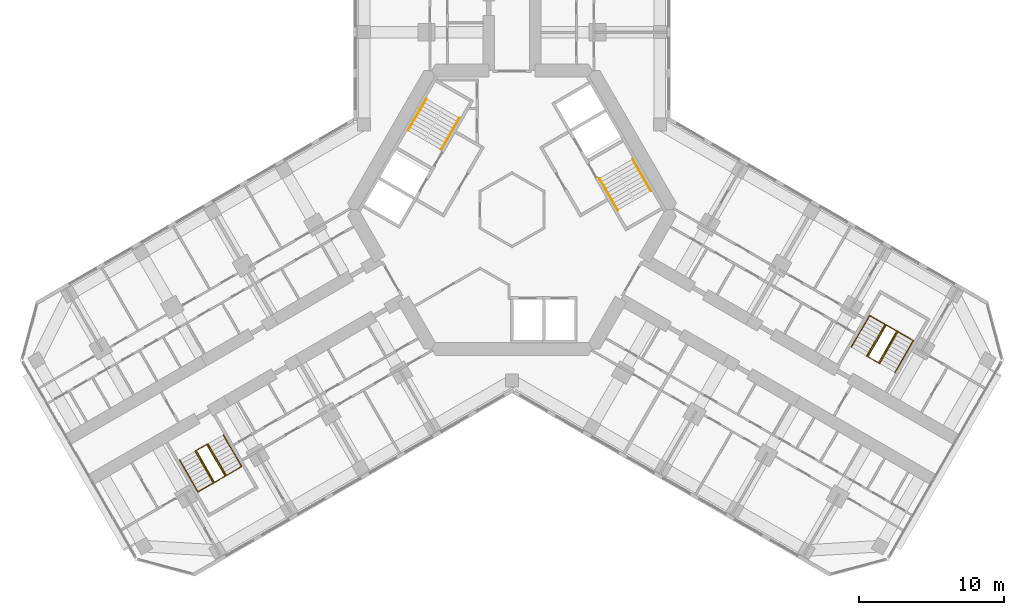
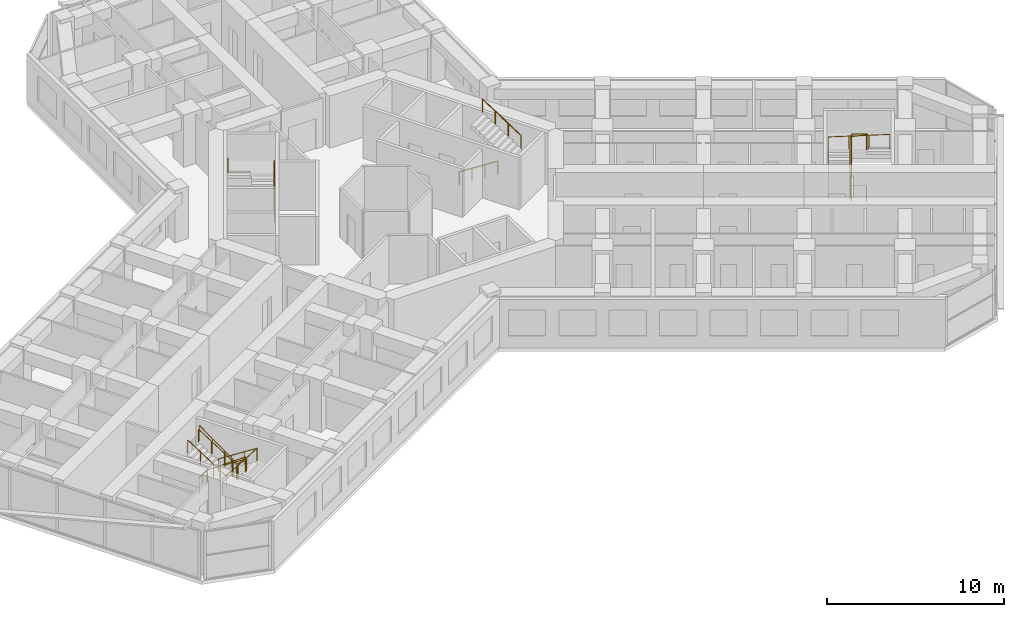
# One storey, part 19 of 19: 10 railings.
"""IFC4 building model written with IfcOpenShell, lengths in metres."""

import ifcopenshell
import ifcopenshell.guid

model = None  # the IFC model being written
_history = None  # IfcOwnerHistory: only IFC2X3 demands one
_inside = {}  # id of a spatial element -> (the spatial element, [elements in it])
_under = {}  # id of a project, library or spatial element -> (it, [spatial elements below it])
_declared = {}  # id of a project -> (the project, [libraries it declares])
_typed = {}  # id of a type object -> (the type object, [elements of that type])
_made_of = {}  # id of a material, layer set ... -> (it, [elements and type objects made of it])


def new_model(schema):
    """Start an empty IFC model of exactly this schema.

    Asked for "IFC4X3", IfcOpenShell would pick the latest addendum, in which some entities
    have other attributes; the version numbers below select the first issue.
    IFC2X3 requires an IfcOwnerHistory on every rooted entity: one is made here for all.
    """
    global model, _history
    if schema == "IFC4X3":
        model = ifcopenshell.file(schema_version=(4, 3, 0, 0))
    else:
        model = ifcopenshell.file(schema=schema)
    _inside.clear()
    _under.clear()
    _declared.clear()
    _typed.clear()
    _made_of.clear()
    _history = None
    if model.schema == "IFC2X3":
        org = make("IfcOrganization", Name="unknown")
        user = make(
            "IfcPersonAndOrganization",
            ThePerson=make("IfcPerson", FamilyName="unknown"),
            TheOrganization=org,
        )
        app = make(
            "IfcApplication",
            ApplicationDeveloper=org,
            Version="unknown",
            ApplicationFullName="unknown",
            ApplicationIdentifier="unknown",
        )
        _history = make(
            "IfcOwnerHistory",
            OwningUser=user,
            OwningApplication=app,
            ChangeAction="ADDED",
            CreationDate=0,
        )
    return model


def make(cls, **values):
    """One entity of the class cls with the attributes given. An attribute that is None is left unset."""
    return model.create_entity(
        cls, **{name: value for name, value in values.items() if value is not None}
    )


def rooted(cls, **values):
    """An entity with a GlobalId (a new one), such as an element, a storey or a relation."""
    return make(cls, GlobalId=ifcopenshell.guid.new(), OwnerHistory=_history, **values)


def si_unit(unit_type, name, prefix=None):
    """IfcSIUnit, for example si_unit("LENGTHUNIT", "METRE", prefix="MILLI")."""
    return make("IfcSIUnit", UnitType=unit_type, Prefix=prefix, Name=name)


def assignment(units):
    """IfcUnitAssignment: the units of a project."""
    return None if units is None else make("IfcUnitAssignment", Units=units)


def point(xyz):
    """IfcCartesianPoint."""
    return None if xyz is None else make("IfcCartesianPoint", Coordinates=xyz)


def direction(xyz):
    """IfcDirection."""
    return None if xyz is None else make("IfcDirection", DirectionRatios=xyz)


def frame(location, z_axis=None, x_axis=None):
    """IfcAxis2Placement3D, a coordinate frame: its origin and axes. An axis left out is left unset."""
    return make(
        "IfcAxis2Placement3D",
        Location=point(location),
        Axis=direction(z_axis),
        RefDirection=direction(x_axis),
    )


def frame_2d(location, x_axis=None):
    """IfcAxis2Placement2D, a coordinate frame in the plane: its origin and x axis."""
    return make(
        "IfcAxis2Placement2D", Location=point(location), RefDirection=direction(x_axis)
    )


def origin():
    """The frame at (0, 0, 0) with its axes left unset."""
    return frame((0.0, 0.0, 0.0))


def origin_2d():
    """The frame at (0, 0) in the plane with its x axis left unset."""
    return frame_2d((0.0, 0.0))


def place(relative_to, where):
    """IfcLocalPlacement: puts the frame where relative to a parent placement (None: the world)."""
    return make(
        "IfcLocalPlacement", PlacementRelTo=relative_to, RelativePlacement=where
    )


def context(
    kind, dimensions, precision=None, world=None, true_north=None, identifier=None
):
    """IfcGeometricRepresentationContext, for example the 3D "Model" context."""
    return make(
        "IfcGeometricRepresentationContext",
        ContextIdentifier=identifier,
        ContextType=kind,
        CoordinateSpaceDimension=dimensions,
        Precision=precision,
        WorldCoordinateSystem=world,
        TrueNorth=true_north,
    )


def subcontext(parent, identifier, kind, view, scale=None):
    """IfcGeometricRepresentationSubContext, for example "Body" below "Model"."""
    return make(
        "IfcGeometricRepresentationSubContext",
        ContextIdentifier=identifier,
        ContextType=kind,
        ParentContext=parent,
        TargetScale=scale,
        TargetView=view,
    )


def project(units=None, contexts=None):
    """IfcProject with its units and contexts."""
    return rooted(
        "IfcProject",
        Name="project",
        RepresentationContexts=contexts,
        UnitsInContext=assignment(units),
    )


def spatial(cls, under=None, at=None, **own):
    """A site, building, storey or space (cls), placed at a placement, below another one or the project."""
    s = rooted(cls, ObjectPlacement=at, **own)
    if under is not None:
        _under.setdefault(under.id(), (under, []))[1].append(s)
    return s


def profile(cls, at=None, kind="AREA", **sizes):
    """A parametric profile (cls). Its sizes go by their IFC names, for example OverallWidth=200.0."""
    return make(cls, ProfileType=kind, Position=at, **sizes)


def circle(**sizes):
    """IfcCircleProfileDef."""
    return profile("IfcCircleProfileDef", **sizes)


def extrude(swept, where, along, depth):
    """IfcExtrudedAreaSolid: the profile swept, set in the frame where, extruded along a direction by depth."""
    return make(
        "IfcExtrudedAreaSolid",
        SweptArea=swept,
        Position=where,
        ExtrudedDirection=direction(along),
        Depth=depth,
    )


def shape(context_of_items, identifier, shape_type, items):
    """IfcShapeRepresentation: the items that make up one representation, for example the "Body"."""
    return make(
        "IfcShapeRepresentation",
        ContextOfItems=context_of_items,
        RepresentationIdentifier=identifier,
        RepresentationType=shape_type,
        Items=items,
    )


def material(Name=None, Category=None):
    """IfcMaterial."""
    return make("IfcMaterial", Name=Name, Category=Category)


def made_of(thing, what):
    """Note that an element or type object is made of a material, layer set ...; save() writes the relation."""
    if what is not None:
        _made_of.setdefault(what.id(), (what, []))[1].append(thing)
    return thing


def type_object(cls, material=None, **own):
    """A type object (cls), such as IfcWallType, which elements share."""
    return made_of(rooted(cls, **own), material)


def element(
    cls,
    number,
    at=None,
    inside=None,
    cuts=None,
    type_object=None,
    material=None,
    context=None,
    identifier="Body",
    shape_type=None,
    held_by="IfcProductDefinitionShape",
    body=None,
    shapes=None,
    **own,
):
    """One element of the class cls, such as IfcWall. Its Tag is "e" and its number.

    at: its placement. inside: the storey or other place that contains it. cuts: it is an
    opening in that element (IfcRelVoidsElement). A single representation is given by context,
    identifier, shape_type and body (its items); several are given by shapes. held_by: the class
    of the entity that holds the representations. save() writes the other relations.
    """
    e = rooted(cls, Tag="e%d" % number, ObjectPlacement=at, **own)
    if body is not None:
        shapes = [shape(context, identifier, shape_type, body)]
    if shapes is not None:
        e.Representation = make(held_by, Representations=shapes)
    if inside is not None:
        _inside.setdefault(inside.id(), (inside, []))[1].append(e)
    if cuts is not None:
        rooted(
            "IfcRelVoidsElement", RelatingBuildingElement=cuts, RelatedOpeningElement=e
        )
    if type_object is not None:
        _typed.setdefault(type_object.id(), (type_object, []))[1].append(e)
    return made_of(e, material)


def aggregate(whole, parts):
    """IfcRelAggregates: a whole, such as a stair, and the parts it consists of."""
    return rooted("IfcRelAggregates", RelatingObject=whole, RelatedObjects=parts)


def save(model, path):
    """Write the relations noted so far, then the file.

    IfcRelAggregates (storeys below a building ...), IfcRelContainedInSpatialStructure (elements
    in a storey), IfcRelDefinesByType, IfcRelAssociatesMaterial and IfcRelDeclares: one each for
    every whole, place, type object, material and project.
    """
    for whole, parts in _under.values():
        aggregate(whole, parts)
    for where, things in _inside.values():
        rooted(
            "IfcRelContainedInSpatialStructure",
            RelatedElements=things,
            RelatingStructure=where,
        )
    for kind, things in _typed.values():
        rooted("IfcRelDefinesByType", RelatedObjects=things, RelatingType=kind)
    for what, things in _made_of.values():
        rooted("IfcRelAssociatesMaterial", RelatedObjects=things, RelatingMaterial=what)
    for by, libraries in _declared.values():
        rooted("IfcRelDeclares", RelatingContext=by, RelatedDefinitions=libraries)
    model.write(path)


model = new_model("IFC4")

# Units and contexts
model_context = context("Model", 3, precision=1e-05, world=origin(), true_north=direction((0.0, 1.0)))
body_context = subcontext(model_context, "Body", "Model", "MODEL_VIEW")
ifc_project = project(units=[si_unit("LENGTHUNIT", "METRE"), si_unit("AREAUNIT", "SQUARE_METRE"), si_unit("VOLUMEUNIT", "CUBIC_METRE"), si_unit("PLANEANGLEUNIT", "RADIAN"), si_unit("MASSUNIT", "GRAM", prefix="KILO")], contexts=[model_context])

# Site, building, storey
site_placement = place(None, origin())
site = spatial("IfcSite", under=ifc_project, at=site_placement, CompositionType="ELEMENT")
building_placement = place(site_placement, origin())
building = spatial("IfcBuilding", under=site, at=building_placement, Name="Kosmar Iwan School Tower", CompositionType="ELEMENT")
storey_placement = place(building_placement, frame((0.0, 0.0, 161.60009765625)))
storey = spatial("IfcBuildingStorey", under=building, at=storey_placement, Name="L40", CompositionType="ELEMENT", Elevation=161.60009765625)

# Railings
ifc_material_1 = material(Name="Black steel", Category="steel")
railing_type_1 = type_object("IfcRailingType", Name="Stair handrail 900", PredefinedType="HANDRAIL", material=ifc_material_1)
railing_1_placement = place(storey_placement, frame((-4.89453125, 4.142333984375, 0.179931640625)))
element("IfcRailing", 1, at=railing_1_placement, inside=storey, type_object=railing_type_1, Name="Handrail ST2 flight 1", PredefinedType="HANDRAIL", context=body_context, shape_type="SweptSolid", body=[
    extrude(circle(Radius=0.02392578125, at=origin_2d()), frame((0.0, 0.0, 0.8759765625), z_axis=(0.42060268101, 0.72849590497, 0.54072830624), x_axis=(-0.866022637375, 0.500004791531, 0.0)), (0.0, 0.0, 1.0), 2.99560546875),
    extrude(circle(Radius=0.02099609375, at=origin_2d()), origin(), (0.0, 0.0, 1.0), 0.851806640625),
    extrude(circle(Radius=0.02099609375, at=origin_2d()), frame((0.419921875, 0.7275390625, 0.5400390625)), (0.0, 0.0, 1.0), 0.851806640625),
    extrude(circle(Radius=0.02099609375, at=origin_2d()), frame((0.840087890625, 1.454833984375, 1.079833984375)), (0.0, 0.0, 1.0), 0.851806640625),
    extrude(circle(Radius=0.02099609375, at=origin_2d()), frame((1.260009765625, 2.182373046875, 1.619873046875)), (0.0, 0.0, 1.0), 0.851806640625),
])
railing_2_placement = place(storey_placement, frame((-5.912353515625, 7.6396484375, 1.97998046875)))
element("IfcRailing", 2, at=railing_2_placement, inside=storey, type_object=railing_type_1, Name="Handrail ST2 flight 2", PredefinedType="HANDRAIL", context=body_context, shape_type="SweptSolid", body=[
    extrude(circle(Radius=0.02392578125, at=origin_2d()), frame((0.0, 0.0, 0.8759765625), z_axis=(-0.42060268101, -0.72849590497, 0.54072830624), x_axis=(0.866022637375, -0.500004791531, 0.0)), (0.0, 0.0, 1.0), 2.99560546875),
    extrude(circle(Radius=0.02099609375, at=origin_2d()), origin(), (0.0, 0.0, 1.0), 0.851806640625),
    extrude(circle(Radius=0.02099609375, at=origin_2d()), frame((-0.419921875, -0.7275390625, 0.5400390625)), (0.0, 0.0, 1.0), 0.851806640625),
    extrude(circle(Radius=0.02099609375, at=origin_2d()), frame((-0.840087890625, -1.454833984375, 1.079833984375)), (0.0, 0.0, 1.0), 0.851806640625),
    extrude(circle(Radius=0.02099609375, at=origin_2d()), frame((-1.260009765625, -2.182373046875, 1.619873046875)), (0.0, 0.0, 1.0), 0.851806640625),
])
railing_3_placement = place(storey_placement, frame((6.03466796875, 2.167724609375, 0.179931640625)))
element("IfcRailing", 3, at=railing_3_placement, inside=storey, type_object=railing_type_1, Name="Handrail ST1 flight 1", PredefinedType="HANDRAIL", context=body_context, shape_type="SweptSolid", body=[
    extrude(circle(Radius=0.02392578125, at=origin_2d()), frame((0.0, 0.0, 0.8759765625), z_axis=(0.42060268101, -0.72849590497, 0.54072830624), x_axis=(0.866022637375, 0.500004791531, 0.0)), (0.0, 0.0, 1.0), 2.99560546875),
    extrude(circle(Radius=0.02099609375, at=origin_2d()), origin(), (0.0, 0.0, 1.0), 0.851806640625),
    extrude(circle(Radius=0.02099609375, at=origin_2d()), frame((0.419921875, -0.7275390625, 0.5400390625)), (0.0, 0.0, 1.0), 0.851806640625),
    extrude(circle(Radius=0.02099609375, at=origin_2d()), frame((0.840087890625, -1.454833984375, 1.079833984375)), (0.0, 0.0, 1.0), 0.851806640625),
    extrude(circle(Radius=0.02099609375, at=origin_2d()), frame((1.260009765625, -2.182373046875, 1.619873046875)), (0.0, 0.0, 1.0), 0.851806640625),
])
railing_4_placement = place(storey_placement, frame((9.572265625, 1.30029296875, 1.97998046875)))
element("IfcRailing", 4, at=railing_4_placement, inside=storey, type_object=railing_type_1, Name="Handrail ST1 flight 2", PredefinedType="HANDRAIL", context=body_context, shape_type="SweptSolid", body=[
    extrude(circle(Radius=0.02392578125, at=origin_2d()), frame((0.0, 0.0, 0.8759765625), z_axis=(-0.42060268101, 0.72849590497, 0.54072830624), x_axis=(-0.866022637375, -0.500004791531, 0.0)), (0.0, 0.0, 1.0), 2.99560546875),
    extrude(circle(Radius=0.02099609375, at=origin_2d()), origin(), (0.0, 0.0, 1.0), 0.851806640625),
    extrude(circle(Radius=0.02099609375, at=origin_2d()), frame((-0.419921875, 0.7275390625, 0.5400390625)), (0.0, 0.0, 1.0), 0.851806640625),
    extrude(circle(Radius=0.02099609375, at=origin_2d()), frame((-0.840087890625, 1.454833984375, 1.079833984375)), (0.0, 0.0, 1.0), 0.851806640625),
    extrude(circle(Radius=0.02099609375, at=origin_2d()), frame((-1.260009765625, 2.182373046875, 1.619873046875)), (0.0, 0.0, 1.0), 0.851806640625),
])
railing_5_placement = place(storey_placement, frame((-19.9091796875, -15.5361328125, 0.179931640625)))
element("IfcRailing", 5, at=railing_5_placement, inside=storey, type_object=railing_type_1, Name="Handrail stair WS2 L40 wall side", PredefinedType="HANDRAIL", context=body_context, shape_type="SweptSolid", body=[
    extrude(circle(Radius=0.02392578125, at=origin_2d()), frame((0.0, 0.0, 0.8759765625), z_axis=(0.420535598452, -0.728520874915, 0.540746840257), x_axis=(0.866064587494, 0.499932125682, 0.0)), (0.0, 0.0, 1.0), 2.99560546875),
    extrude(circle(Radius=0.02392578125, at=origin_2d()), frame((1.259765625, -2.182373046875, 2.49560546875), z_axis=(-0.864861221286, -0.499341050235, 0.051706706198), x_axis=(0.500009906705, -0.86601968407, 0.0)), (0.0, 0.0, 1.0), 3.484619140625),
    extrude(circle(Radius=0.02392578125, at=origin_2d()), frame((-1.75390625, -3.92236328125, 2.67578125), z_axis=(-0.42060268101, 0.72849590497, 0.54072830624), x_axis=(-0.866022637375, -0.500004791531, 0.0)), (0.0, 0.0, 1.0), 2.99560546875),
    extrude(circle(Radius=0.02099609375, at=origin_2d()), origin(), (0.0, 0.0, 1.0), 0.851806640625),
    extrude(circle(Radius=0.02099609375, at=origin_2d()), frame((0.419921875, -0.7275390625, 0.5400390625)), (0.0, 0.0, 1.0), 0.851806640625),
    extrude(circle(Radius=0.02099609375, at=origin_2d()), frame((0.83984375, -1.454833984375, 1.079833984375)), (0.0, 0.0, 1.0), 0.851806640625),
    extrude(circle(Radius=0.02099609375, at=origin_2d()), frame((1.259765625, -2.182373046875, 1.619873046875)), (0.0, 0.0, 1.0), 0.851806640625),
    extrude(circle(Radius=0.02099609375, at=origin_2d()), frame((0.255126953125, -2.762451171875, 1.679931640625)), (0.0, 0.0, 1.0), 0.851806640625),
    extrude(circle(Radius=0.02099609375, at=origin_2d()), frame((-0.749267578125, -3.34228515625, 1.739990234375)), (0.0, 0.0, 1.0), 0.851806640625),
    extrude(circle(Radius=0.02099609375, at=origin_2d()), frame((-1.75390625, -3.92236328125, 1.800048828125)), (0.0, 0.0, 1.0), 0.851806640625),
    extrude(circle(Radius=0.02099609375, at=origin_2d()), frame((-2.173828125, -3.19482421875, 2.340087890625)), (0.0, 0.0, 1.0), 0.851806640625),
    extrude(circle(Radius=0.02099609375, at=origin_2d()), frame((-2.593994140625, -2.467529296875, 2.8798828125)), (0.0, 0.0, 1.0), 0.851806640625),
    extrude(circle(Radius=0.02099609375, at=origin_2d()), frame((-3.013916015625, -1.739990234375, 3.419921875)), (0.0, 0.0, 1.0), 0.851806640625),
])
railing_6_placement = place(storey_placement, frame((-20.974609375, -16.151123046875, 0.179931640625)))
element("IfcRailing", 6, at=railing_6_placement, inside=storey, type_object=railing_type_1, Name="Handrail stair WS2 L40 well side", PredefinedType="HANDRAIL", context=body_context, shape_type="SweptSolid", body=[
    extrude(circle(Radius=0.02392578125, at=origin_2d()), frame((0.0, 0.0, 0.8759765625), z_axis=(0.42060268101, -0.72849590497, 0.54072830624), x_axis=(0.866022637375, 0.500004791531, 0.0)), (0.0, 0.0, 1.0), 2.99560546875),
    extrude(circle(Radius=0.02392578125, at=origin_2d()), frame((1.260009765625, -2.182373046875, 2.49560546875), z_axis=(-0.852806573049, -0.492402689635, 0.173955569627), x_axis=(0.500026340207, -0.866010195725, 0.0)), (0.0, 0.0, 1.0), 1.03564453125),
    extrude(circle(Radius=0.02392578125, at=origin_2d()), frame((0.376708984375, -2.6923828125, 2.67578125), z_axis=(-0.42060268101, 0.72849590497, 0.54072830624), x_axis=(-0.866022637375, -0.500004791531, 0.0)), (0.0, 0.0, 1.0), 2.99560546875),
    extrude(circle(Radius=0.02099609375, at=origin_2d()), origin(), (0.0, 0.0, 1.0), 0.851806640625),
    extrude(circle(Radius=0.02099609375, at=origin_2d()), frame((0.419921875, -0.7275390625, 0.5400390625)), (0.0, 0.0, 1.0), 0.851806640625),
    extrude(circle(Radius=0.02099609375, at=origin_2d()), frame((0.840087890625, -1.454833984375, 1.079833984375)), (0.0, 0.0, 1.0), 0.851806640625),
    extrude(circle(Radius=0.02099609375, at=origin_2d()), frame((1.260009765625, -2.182373046875, 1.619873046875)), (0.0, 0.0, 1.0), 0.851806640625),
    extrude(circle(Radius=0.02099609375, at=origin_2d()), frame((0.376708984375, -2.6923828125, 1.800048828125)), (0.0, 0.0, 1.0), 0.851806640625),
    extrude(circle(Radius=0.02099609375, at=origin_2d()), frame((-0.043212890625, -1.96484375, 2.340087890625)), (0.0, 0.0, 1.0), 0.851806640625),
    extrude(circle(Radius=0.02099609375, at=origin_2d()), frame((-0.46337890625, -1.237548828125, 2.8798828125)), (0.0, 0.0, 1.0), 0.851806640625),
    extrude(circle(Radius=0.02099609375, at=origin_2d()), frame((-0.88330078125, -0.510009765625, 3.419921875)), (0.0, 0.0, 1.0), 0.851806640625),
])
railing_7_placement = place(storey_placement, frame((23.4091796875, -9.473876953125, 0.179931640625)))
element("IfcRailing", 7, at=railing_7_placement, inside=storey, type_object=railing_type_1, Name="Handrail stair WS3 L40 wall side", PredefinedType="HANDRAIL", context=body_context, shape_type="SweptSolid", body=[
    extrude(circle(Radius=0.02392578125, at=origin_2d()), frame((0.0, 0.0, 0.8759765625), z_axis=(0.42060268101, 0.72849590497, 0.54072830624), x_axis=(-0.866022637375, 0.500004791531, 0.0)), (0.0, 0.0, 1.0), 2.99560546875),
    extrude(circle(Radius=0.02392578125, at=origin_2d()), frame((1.260009765625, 2.182373046875, 2.49560546875), z_axis=(0.864878876685, -0.499310794179, 0.051703573187), x_axis=(0.499979528911, 0.866037222451, 0.0)), (0.0, 0.0, 1.0), 3.48486328125),
    extrude(circle(Radius=0.02392578125, at=origin_2d()), frame((4.27392578125, 0.4423828125, 2.67578125), z_axis=(-0.42060268101, -0.72849590497, 0.54072830624), x_axis=(0.866022637375, -0.500004791531, 0.0)), (0.0, 0.0, 1.0), 2.99560546875),
    extrude(circle(Radius=0.02099609375, at=origin_2d()), origin(), (0.0, 0.0, 1.0), 0.851806640625),
    extrude(circle(Radius=0.02099609375, at=origin_2d()), frame((0.419921875, 0.7275390625, 0.5400390625)), (0.0, 0.0, 1.0), 0.851806640625),
    extrude(circle(Radius=0.02099609375, at=origin_2d()), frame((0.840087890625, 1.454833984375, 1.079833984375)), (0.0, 0.0, 1.0), 0.851806640625),
    extrude(circle(Radius=0.02099609375, at=origin_2d()), frame((1.260009765625, 2.182373046875, 1.619873046875)), (0.0, 0.0, 1.0), 0.851806640625),
    extrude(circle(Radius=0.02099609375, at=origin_2d()), frame((2.2646484375, 1.602294921875, 1.679931640625)), (0.0, 0.0, 1.0), 0.851806640625),
    extrude(circle(Radius=0.02099609375, at=origin_2d()), frame((3.269287109375, 1.0224609375, 1.739990234375)), (0.0, 0.0, 1.0), 0.851806640625),
    extrude(circle(Radius=0.02099609375, at=origin_2d()), frame((4.27392578125, 0.4423828125, 1.800048828125)), (0.0, 0.0, 1.0), 0.851806640625),
    extrude(circle(Radius=0.02099609375, at=origin_2d()), frame((3.85400390625, -0.28515625, 2.340087890625)), (0.0, 0.0, 1.0), 0.851806640625),
    extrude(circle(Radius=0.02099609375, at=origin_2d()), frame((3.433837890625, -1.012451171875, 2.8798828125)), (0.0, 0.0, 1.0), 0.851806640625),
    extrude(circle(Radius=0.02099609375, at=origin_2d()), frame((3.013916015625, -1.739990234375, 3.419921875)), (0.0, 0.0, 1.0), 0.851806640625),
])
railing_8_placement = place(storey_placement, frame((24.474609375, -10.0888671875, 0.179931640625)))
element("IfcRailing", 8, at=railing_8_placement, inside=storey, type_object=railing_type_1, Name="Handrail stair WS3 L40 well side", PredefinedType="HANDRAIL", context=body_context, shape_type="SweptSolid", body=[
    extrude(circle(Radius=0.02392578125, at=origin_2d()), frame((0.0, 0.0, 0.8759765625), z_axis=(0.42060268101, 0.72849590497, 0.54072830624), x_axis=(-0.866022637375, 0.500004791531, 0.0)), (0.0, 0.0, 1.0), 2.99560546875),
    extrude(circle(Radius=0.02392578125, at=origin_2d()), frame((1.260009765625, 2.182373046875, 2.49560546875), z_axis=(0.852806573049, -0.492402689635, 0.173955569627), x_axis=(0.500026340207, 0.866010195725, 0.0)), (0.0, 0.0, 1.0), 1.03564453125),
    extrude(circle(Radius=0.02392578125, at=origin_2d()), frame((2.143310546875, 1.67236328125, 2.67578125), z_axis=(-0.42060268101, -0.72849590497, 0.54072830624), x_axis=(0.866022637375, -0.500004791531, 0.0)), (0.0, 0.0, 1.0), 2.99560546875),
    extrude(circle(Radius=0.02099609375, at=origin_2d()), origin(), (0.0, 0.0, 1.0), 0.851806640625),
    extrude(circle(Radius=0.02099609375, at=origin_2d()), frame((0.419921875, 0.7275390625, 0.5400390625)), (0.0, 0.0, 1.0), 0.851806640625),
    extrude(circle(Radius=0.02099609375, at=origin_2d()), frame((0.840087890625, 1.454833984375, 1.079833984375)), (0.0, 0.0, 1.0), 0.851806640625),
    extrude(circle(Radius=0.02099609375, at=origin_2d()), frame((1.260009765625, 2.182373046875, 1.619873046875)), (0.0, 0.0, 1.0), 0.851806640625),
    extrude(circle(Radius=0.02099609375, at=origin_2d()), frame((2.143310546875, 1.67236328125, 1.800048828125)), (0.0, 0.0, 1.0), 0.851806640625),
    extrude(circle(Radius=0.02099609375, at=origin_2d()), frame((1.723388671875, 0.94482421875, 2.340087890625)), (0.0, 0.0, 1.0), 0.851806640625),
    extrude(circle(Radius=0.02099609375, at=origin_2d()), frame((1.30322265625, 0.217529296875, 2.8798828125)), (0.0, 0.0, 1.0), 0.851806640625),
    extrude(circle(Radius=0.02099609375, at=origin_2d()), frame((0.88330078125, -0.510009765625, 3.419921875)), (0.0, 0.0, 1.0), 0.851806640625),
])
ifc_material_2 = material(Name="Black steel", Category="steel")
railing_type_2 = type_object("IfcRailingType", Name="Stair well guard 1100", PredefinedType="GUARDRAIL", material=ifc_material_2)
railing_9_placement = place(storey_placement, frame((-21.780029296875, -16.6162109375, 0.0)))
element("IfcRailing", 9, at=railing_9_placement, inside=storey, type_object=railing_type_2, Name="Stair WS2 L40 well guard", PredefinedType="GUARDRAIL", context=body_context, shape_type="SweptSolid", body=[
    extrude(circle(Radius=0.02392578125, at=origin_2d()), frame((0.0, 0.0, 1.076171875), z_axis=(0.865962960534, 0.500108139288, 0.0), x_axis=(-0.500108139288, 0.865962960534, 0.0)), (0.0, 0.0, 1.0), 0.840087890625),
    extrude(circle(Radius=0.02392578125, at=origin_2d()), frame((0.7275390625, 0.420166015625, 1.076171875), z_axis=(0.406885297737, -0.704737003773, 0.581197135229), x_axis=(0.866022637375, 0.500004791531, 0.0)), (0.0, 0.0, 1.0), 3.0966796875),
    extrude(circle(Radius=0.02392578125, at=origin_2d()), frame((1.987548828125, -1.76220703125, 2.8759765625), z_axis=(-0.865962960534, -0.500108139288, 0.0), x_axis=(0.500108139288, -0.865962960534, 0.0)), (0.0, 0.0, 1.0), 0.840087890625),
    extrude(circle(Radius=0.02392578125, at=origin_2d()), frame((1.260009765625, -2.182373046875, 2.8759765625), z_axis=(-0.40686665399, 0.704704712268, 0.58124933925), x_axis=(-0.866022637375, -0.500004791531, 0.0)), (0.0, 0.0, 1.0), 3.096923828125),
    extrude(circle(Radius=0.02099609375, at=origin_2d()), origin(), (0.0, 0.0, 1.0), 1.052001953125),
    extrude(circle(Radius=0.02099609375, at=origin_2d()), frame((0.7275390625, 0.420166015625, 0.0)), (0.0, 0.0, 1.0), 1.052001953125),
    extrude(circle(Radius=0.02099609375, at=origin_2d()), frame((1.1474609375, -0.307373046875, 0.599853515625)), (0.0, 0.0, 1.0), 1.052001953125),
    extrude(circle(Radius=0.02099609375, at=origin_2d()), frame((1.567626953125, -1.03466796875, 1.199951171875)), (0.0, 0.0, 1.0), 1.052001953125),
    extrude(circle(Radius=0.02099609375, at=origin_2d()), frame((1.987548828125, -1.76220703125, 1.7998046875)), (0.0, 0.0, 1.0), 1.052001953125),
    extrude(circle(Radius=0.02099609375, at=origin_2d()), frame((1.260009765625, -2.182373046875, 1.7998046875)), (0.0, 0.0, 1.0), 1.052001953125),
    extrude(circle(Radius=0.02099609375, at=origin_2d()), frame((0.840087890625, -1.454833984375, 2.39990234375)), (0.0, 0.0, 1.0), 1.052001953125),
    extrude(circle(Radius=0.02099609375, at=origin_2d()), frame((0.419921875, -0.7275390625, 2.999755859375)), (0.0, 0.0, 1.0), 1.052001953125),
    extrude(circle(Radius=0.02099609375, at=origin_2d()), frame((0.0, 0.0, 3.599853515625)), (0.0, 0.0, 1.0), 1.052001953125),
])
railing_10_placement = place(storey_placement, frame((25.280029296875, -10.553955078125, 0.0)))
element("IfcRailing", 10, at=railing_10_placement, inside=storey, type_object=railing_type_2, Name="Stair WS3 L40 well guard", PredefinedType="GUARDRAIL", context=body_context, shape_type="SweptSolid", body=[
    extrude(circle(Radius=0.02392578125, at=origin_2d()), frame((0.0, 0.0, 1.076171875), z_axis=(-0.865962960534, 0.500108139288, 0.0), x_axis=(-0.500108139288, -0.865962960534, 0.0)), (0.0, 0.0, 1.0), 0.840087890625),
    extrude(circle(Radius=0.02392578125, at=origin_2d()), frame((-0.7275390625, 0.420166015625, 1.076171875), z_axis=(0.406885297737, 0.704737003773, 0.581197135229), x_axis=(-0.866022637375, 0.500004791531, 0.0)), (0.0, 0.0, 1.0), 3.0966796875),
    extrude(circle(Radius=0.02392578125, at=origin_2d()), frame((0.532470703125, 2.6025390625, 2.8759765625), z_axis=(0.865890253765, -0.500234013672, 0.0), x_axis=(0.500234013672, 0.865890253765, 0.0)), (0.0, 0.0, 1.0), 0.83984375),
    extrude(circle(Radius=0.02392578125, at=origin_2d()), frame((1.259765625, 2.182373046875, 2.8759765625), z_axis=(-0.406800866334, -0.70472731476, 0.58126798207), x_axis=(0.866064587494, -0.499932125682, 0.0)), (0.0, 0.0, 1.0), 3.0966796875),
    extrude(circle(Radius=0.02099609375, at=origin_2d()), origin(), (0.0, 0.0, 1.0), 1.052001953125),
    extrude(circle(Radius=0.02099609375, at=origin_2d()), frame((-0.7275390625, 0.420166015625, 0.0)), (0.0, 0.0, 1.0), 1.052001953125),
    extrude(circle(Radius=0.02099609375, at=origin_2d()), frame((-0.3076171875, 1.147705078125, 0.599853515625)), (0.0, 0.0, 1.0), 1.052001953125),
    extrude(circle(Radius=0.02099609375, at=origin_2d()), frame((0.112548828125, 1.875, 1.199951171875)), (0.0, 0.0, 1.0), 1.052001953125),
    extrude(circle(Radius=0.02099609375, at=origin_2d()), frame((0.532470703125, 2.6025390625, 1.7998046875)), (0.0, 0.0, 1.0), 1.052001953125),
    extrude(circle(Radius=0.02099609375, at=origin_2d()), frame((1.259765625, 2.182373046875, 1.7998046875)), (0.0, 0.0, 1.0), 1.052001953125),
    extrude(circle(Radius=0.02099609375, at=origin_2d()), frame((0.83984375, 1.454833984375, 2.39990234375)), (0.0, 0.0, 1.0), 1.052001953125),
    extrude(circle(Radius=0.02099609375, at=origin_2d()), frame((0.419921875, 0.7275390625, 2.999755859375)), (0.0, 0.0, 1.0), 1.052001953125),
    extrude(circle(Radius=0.02099609375, at=origin_2d()), frame((0.0, 0.0, 3.599853515625)), (0.0, 0.0, 1.0), 1.052001953125),
])

save(model, "model.ifc")
